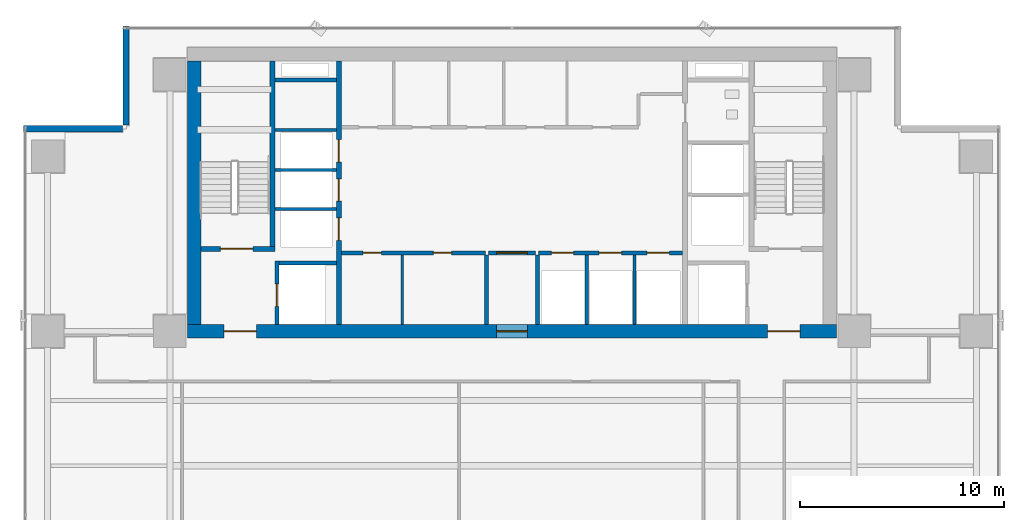
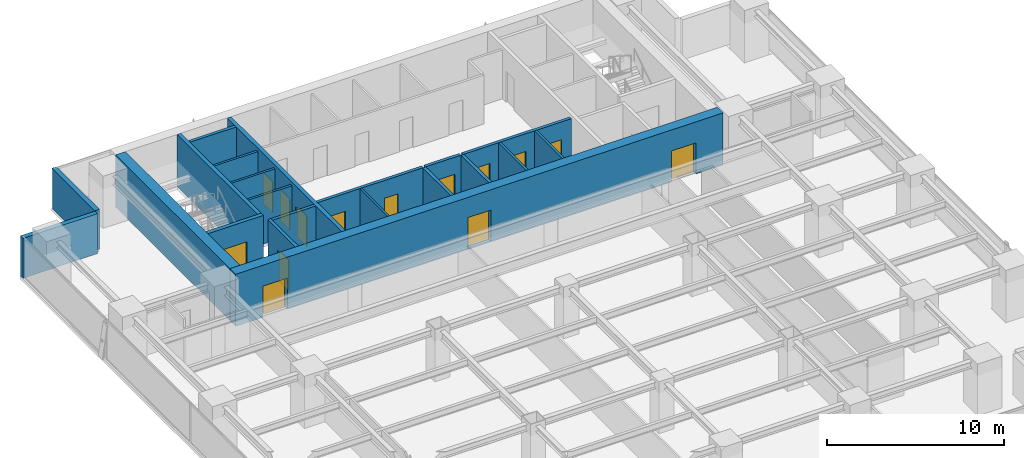
# One storey, part 21 of 27: 21 walls, 14 doors, 14 openings.
"""IFC4 building model written with IfcOpenShell, lengths in metres."""

from ifc_helpers import new_model, si_unit, direction, frame, frame_2d, origin, place, context, subcontext, project, spatial, rectangle, extrude, source, transform, mapped, material, layer, layer_set, type_object, element, fill, save


model = new_model("IFC4")

# Units and contexts
model_context = context("Model", 3, precision=1e-05, world=origin(), true_north=direction((0.0, 1.0)))
body_context = subcontext(model_context, "Body", "Model", "MODEL_VIEW")
ifc_project = project(units=[si_unit("LENGTHUNIT", "METRE"), si_unit("AREAUNIT", "SQUARE_METRE"), si_unit("VOLUMEUNIT", "CUBIC_METRE"), si_unit("PLANEANGLEUNIT", "RADIAN"), si_unit("MASSUNIT", "GRAM", prefix="KILO")], contexts=[model_context])

# Site, building, storey
site_placement = place(None, origin())
site = spatial("IfcSite", under=ifc_project, at=site_placement, CompositionType="ELEMENT")
building_placement = place(site_placement, origin())
building = spatial("IfcBuilding", under=site, at=building_placement, Name="Sumidabori Civic Tower", CompositionType="ELEMENT")
storey_placement = place(building_placement, frame((0.0, 0.0, 138.800048828125)))
storey = spatial("IfcBuildingStorey", under=building, at=storey_placement, Name="L35", CompositionType="ELEMENT", Elevation=138.800048828125)

# Walls
ifc_material_1 = material(Name="Concrete C50/60", Category="concrete")
ifc_layer_1 = layer(ifc_material_1, 0.199951171875, Name="Concrete C50/60")
ifc_layer_set_1 = layer_set([ifc_layer_1], Name="Concrete C50/60")
wall_type_1 = type_object("IfcWallType", Name="WL-SHAFT-200", PredefinedType="SHEAR", material=ifc_layer_set_1)
shared_shape_1 = source(origin(), body_context, "Body", "SweptSolid", [
    extrude(rectangle(XDim=2.824951171875, YDim=0.199951171875, at=frame_2d((1.41259765625, 0.0))), origin(), (0.0, 0.0, 1.0), 3.599853515625),
])
wall_1_placement = place(storey_placement, frame((-11.449951171875, 13.550048828125, 0.0), z_axis=(0.0, 0.0, 1.0), x_axis=(1.0, 0.0, 0.0)))
element("IfcWall", 1, at=wall_1_placement, inside=storey, type_object=wall_type_1, Name="Core Shear Wall L35 EL1-N", PredefinedType="SHEAR", context=body_context, shape_type="MappedRepresentation", body=[
    mapped(shared_shape_1, transform((0.0, 0.0, 0.0), x_axis=(1.0, 0.0, 0.0), y_axis=(0.0, 1.0, 0.0), z_axis=(0.0, 0.0, 1.0), scale=1.0)),
])
shared_shape_2 = source(origin(), body_context, "Body", "SweptSolid", [
    extrude(rectangle(XDim=3.02001953125, YDim=0.199951171875, at=frame_2d((1.510009765625, 0.0))), origin(), (0.0, 0.0, 1.0), 3.599853515625),
])
wall_2_placement = place(storey_placement, frame((-11.64501953125, 22.550048828125, 0.0), z_axis=(0.0, 0.0, 1.0), x_axis=(1.0, 0.0, 0.0)))
element("IfcWall", 2, at=wall_2_placement, inside=storey, type_object=wall_type_1, Name="Core Shear Wall L35 RIS1-S", PredefinedType="SHEAR", context=body_context, shape_type="MappedRepresentation", body=[
    mapped(shared_shape_2, transform((0.0, 0.0, 0.0), x_axis=(1.0, 0.0, 0.0), y_axis=(0.0, 1.0, 0.0), z_axis=(0.0, 0.0, 1.0), scale=1.0)),
])

# Wall, openings, doors
ifc_material_2 = material(Name="Concrete C60/75", Category="concrete")
ifc_layer_2 = layer(ifc_material_2, 0.64990234375, Name="Concrete C60/75")
ifc_layer_set_2 = layer_set([ifc_layer_2], Name="Concrete C60/75")
wall_type_2 = type_object("IfcWallType", Name="WL-CORE-650", PredefinedType="SHEAR", material=ifc_layer_set_2)
shared_shape_3 = source(origin(), body_context, "Body", "SweptSolid", [
    extrude(rectangle(XDim=31.85009765625, YDim=0.64990234375, at=frame_2d((15.925048828125, 0.0))), origin(), (0.0, 0.0, 1.0), 3.599853515625),
])
wall_3_placement = place(storey_placement, frame((-15.925048828125, 10.199951171875, 0.0), z_axis=(0.0, 0.0, 1.0), x_axis=(1.0, 0.0, 0.0)))
wall_3 = element("IfcWall", 3, at=wall_3_placement, inside=storey, type_object=wall_type_2, Name="Core Shear Wall L35 S", PredefinedType="SHEAR", context=body_context, shape_type="MappedRepresentation", body=[
    mapped(shared_shape_3, transform((0.0, 0.0, 0.0), x_axis=(1.0, 0.0, 0.0), y_axis=(0.0, 1.0, 0.0), z_axis=(0.0, 0.0, 1.0), scale=1.0)),
])
opening_1_placement = place(wall_3_placement, frame((1.77490234375, 0.0, 0.0)))
opening_1 = element("IfcOpeningElement", 4, at=opening_1_placement, cuts=wall_3, Name="Opening DR-FD4", PredefinedType="OPENING", context=body_context, shape_type="SweptSolid", body=[
    extrude(rectangle(XDim=1.60009765625, YDim=2.14990234375, at=frame_2d((0.800048828125, 1.074951171875))), frame((0.0, 0.3369140625, 0.0), z_axis=(0.0, -1.0, 0.0), x_axis=(1.0, 0.0, 0.0)), (0.0, 0.0, 1.0), 0.673828125),
])
opening_2_placement = place(wall_3_placement, frame((28.47509765625, 0.0, 0.0)))
opening_2 = element("IfcOpeningElement", 5, at=opening_2_placement, cuts=wall_3, Name="Opening DR-FD4", PredefinedType="OPENING", context=body_context, shape_type="SweptSolid", body=[
    extrude(rectangle(XDim=1.60009765625, YDim=2.14990234375, at=frame_2d((0.800048828125, 1.074951171875))), frame((0.0, 0.3369140625, 0.0), z_axis=(0.0, -1.0, 0.0), x_axis=(1.0, 0.0, 0.0)), (0.0, 0.0, 1.0), 0.673828125),
])
opening_3_placement = place(wall_3_placement, frame((15.175048828125, 0.0, 0.0)))
opening_3 = element("IfcOpeningElement", 6, at=opening_3_placement, cuts=wall_3, Name="Opening DR-FD3", PredefinedType="OPENING", context=body_context, shape_type="SweptSolid", body=[
    extrude(rectangle(XDim=1.5, YDim=2.199951171875, at=frame_2d((0.75, 1.10009765625))), frame((0.0, 0.3369140625, 0.0), z_axis=(0.0, -1.0, 0.0), x_axis=(1.0, 0.0, 0.0)), (0.0, 0.0, 1.0), 0.673828125),
])
ifc_material_3 = material(Name="Steel SN490", Category="steel")
door_type_1 = type_object("IfcDoorType", Name="DR-FD4", OperationType="DOUBLE_DOOR_SINGLE_SWING", PredefinedType="DOOR", material=ifc_material_3)
shared_shape_4 = source(origin(), body_context, "Body", "SweptSolid", [
    extrude(rectangle(XDim=1.60009765625, YDim=2.14990234375, at=frame_2d((0.800048828125, 1.074951171875))), frame((0.0, 0.02490234375, 0.0), z_axis=(0.0, -1.0, 0.0), x_axis=(1.0, 0.0, 0.0)), (0.0, 0.0, 1.0), 0.050048828125),
])
door_1_placement = place(opening_1_placement, origin())
door_1 = element("IfcDoor", 7, at=door_1_placement, inside=storey, type_object=door_type_1, Name="Door DR:L35:ELOB-W", OperationType="DOUBLE_DOOR_SINGLE_SWING", OverallHeight=2.14990234375, OverallWidth=1.60009765625, PredefinedType="DOOR", context=body_context, shape_type="MappedRepresentation", body=[
    mapped(shared_shape_4, transform((0.0, 0.0, 0.0), x_axis=(1.0, 0.0, 0.0), y_axis=(0.0, 1.0, 0.0), z_axis=(0.0, 0.0, 1.0), scale=1.0)),
])
fill(opening_1, door_1)
door_2_placement = place(opening_2_placement, origin())
door_2 = element("IfcDoor", 8, at=door_2_placement, inside=storey, type_object=door_type_1, Name="Door DR:L35:ELOB-E", OperationType="DOUBLE_DOOR_SINGLE_SWING", OverallHeight=2.14990234375, OverallWidth=1.60009765625, PredefinedType="DOOR", context=body_context, shape_type="MappedRepresentation", body=[
    mapped(shared_shape_4, transform((0.0, 0.0, 0.0), x_axis=(1.0, 0.0, 0.0), y_axis=(0.0, 1.0, 0.0), z_axis=(0.0, 0.0, 1.0), scale=1.0)),
])
fill(opening_2, door_2)
door_type_2 = type_object("IfcDoorType", Name="DR-FD-DBL", OperationType="DOUBLE_DOOR_SINGLE_SWING", PredefinedType="DOOR", material=ifc_material_3)
shared_shape_5 = source(origin(), body_context, "Body", "SweptSolid", [
    extrude(rectangle(XDim=1.5, YDim=2.199951171875, at=frame_2d((0.75, 1.10009765625))), frame((0.0, 0.02490234375, 0.0), z_axis=(0.0, -1.0, 0.0), x_axis=(1.0, 0.0, 0.0)), (0.0, 0.0, 1.0), 0.050048828125),
])
door_3_placement = place(opening_3_placement, origin())
door_3 = element("IfcDoor", 9, at=door_3_placement, inside=storey, type_object=door_type_2, Name="Door DR:L35:THROAT-OUT", OperationType="DOUBLE_DOOR_SINGLE_SWING", OverallHeight=2.199951171875, OverallWidth=1.5, PredefinedType="DOOR", context=body_context, shape_type="MappedRepresentation", body=[
    mapped(shared_shape_5, transform((0.0, 0.0, 0.0), x_axis=(1.0, 0.0, 0.0), y_axis=(0.0, 1.0, 0.0), z_axis=(0.0, 0.0, 1.0), scale=1.0)),
])
fill(opening_3, door_3)

# Wall
shared_shape_6 = source(origin(), body_context, "Body", "SweptSolid", [
    extrude(rectangle(XDim=12.9501953125, YDim=0.64990234375, at=frame_2d((6.47509765625, 0.0))), origin(), (0.0, 0.0, 1.0), 3.599853515625),
])
wall_4_placement = place(storey_placement, frame((-15.60009765625, 10.52490234375, 0.0), z_axis=(0.0, 0.0, 1.0), x_axis=(0.0, 1.0, 0.0)))
element("IfcWall", 10, at=wall_4_placement, inside=storey, type_object=wall_type_2, Name="Core Shear Wall L35 W", PredefinedType="SHEAR", context=body_context, shape_type="MappedRepresentation", body=[
    mapped(shared_shape_6, transform((0.0, 0.0, 0.0), x_axis=(1.0, 0.0, 0.0), y_axis=(0.0, 1.0, 0.0), z_axis=(0.0, 0.0, 1.0), scale=1.0)),
])

# Wall, openings, doors
ifc_layer_3 = layer(ifc_material_1, 0.25, Name="Concrete C50/60")
ifc_layer_set_3 = layer_set([ifc_layer_3], Name="Concrete C50/60")
wall_type_3 = type_object("IfcWallType", Name="WL-SHAFT-250", PredefinedType="SHEAR", material=ifc_layer_set_3)
shared_shape_7 = source(origin(), body_context, "Body", "SweptSolid", [
    extrude(rectangle(XDim=12.9501953125, YDim=0.25, at=frame_2d((6.47509765625, 0.0))), origin(), (0.0, 0.0, 1.0), 3.599853515625),
])
wall_5_placement = place(storey_placement, frame((-8.5, 10.52490234375, 0.0), z_axis=(0.0, 0.0, 1.0), x_axis=(0.0, 1.0, 0.0)))
wall_5 = element("IfcWall", 11, at=wall_5_placement, inside=storey, type_object=wall_type_3, Name="Core Shear Wall L35 WEB-W", PredefinedType="SHEAR", context=body_context, shape_type="MappedRepresentation", body=[
    mapped(shared_shape_7, transform((0.0, 0.0, 0.0), x_axis=(1.0, 0.0, 0.0), y_axis=(0.0, 1.0, 0.0), z_axis=(0.0, 0.0, 1.0), scale=1.0)),
])
opening_4_placement = place(wall_5_placement, frame((4.14501953125, 0.0, 0.0)))
opening_4 = element("IfcOpeningElement", 12, at=opening_4_placement, cuts=wall_5, Name="Opening LD-1", PredefinedType="OPENING", context=body_context, shape_type="SweptSolid", body=[
    extrude(rectangle(XDim=1.10009765625, YDim=2.14990234375, at=frame_2d((0.550048828125, 1.074951171875))), frame((0.0, 0.136962890625, 0.0), z_axis=(0.0, -1.0, 0.0), x_axis=(1.0, 0.0, 0.0)), (0.0, 0.0, 1.0), 0.27392578125),
])
opening_5_placement = place(wall_5_placement, frame((6.06494140625, 0.0, 0.0)))
opening_5 = element("IfcOpeningElement", 13, at=opening_5_placement, cuts=wall_5, Name="Opening LD-1", PredefinedType="OPENING", context=body_context, shape_type="SweptSolid", body=[
    extrude(rectangle(XDim=1.10009765625, YDim=2.14990234375, at=frame_2d((0.550048828125, 1.074951171875))), frame((0.0, 0.136962890625, 0.0), z_axis=(0.0, -1.0, 0.0), x_axis=(1.0, 0.0, 0.0)), (0.0, 0.0, 1.0), 0.27392578125),
])
opening_6_placement = place(wall_5_placement, frame((7.985107421875, 0.0, 0.0)))
opening_6 = element("IfcOpeningElement", 14, at=opening_6_placement, cuts=wall_5, Name="Opening LD-1", PredefinedType="OPENING", context=body_context, shape_type="SweptSolid", body=[
    extrude(rectangle(XDim=1.10009765625, YDim=2.14990234375, at=frame_2d((0.550048828125, 1.074951171875))), frame((0.0, 0.136962890625, 0.0), z_axis=(0.0, -1.0, 0.0), x_axis=(1.0, 0.0, 0.0)), (0.0, 0.0, 1.0), 0.27392578125),
])
ifc_material_4 = material(Name="Stainless Steel Hairline Finish", Category="steel")
door_type_3 = type_object("IfcDoorType", Name="DR-LD1", OperationType="DOUBLE_DOOR_SLIDING", PredefinedType="DOOR", material=ifc_material_4)
shared_shape_8 = source(origin(), body_context, "Body", "SweptSolid", [
    extrude(rectangle(XDim=1.10009765625, YDim=2.14990234375, at=frame_2d((0.550048828125, 1.074951171875))), frame((0.0, 0.02490234375, 0.0), z_axis=(0.0, -1.0, 0.0), x_axis=(1.0, 0.0, 0.0)), (0.0, 0.0, 1.0), 0.050048828125),
])
door_4_placement = place(opening_4_placement, origin())
door_4 = element("IfcDoor", 15, at=door_4_placement, inside=storey, type_object=door_type_3, Name="Door DR:L35:LD-PLH1", OperationType="DOUBLE_DOOR_SLIDING", OverallHeight=2.14990234375, OverallWidth=1.10009765625, PredefinedType="DOOR", context=body_context, shape_type="MappedRepresentation", body=[
    mapped(shared_shape_8, transform((0.0, 0.0, 0.0), x_axis=(1.0, 0.0, 0.0), y_axis=(0.0, 1.0, 0.0), z_axis=(0.0, 0.0, 1.0), scale=1.0)),
])
fill(opening_4, door_4)
door_5_placement = place(opening_5_placement, origin())
door_5 = element("IfcDoor", 16, at=door_5_placement, inside=storey, type_object=door_type_3, Name="Door DR:L35:LD-PLH2", OperationType="DOUBLE_DOOR_SLIDING", OverallHeight=2.14990234375, OverallWidth=1.10009765625, PredefinedType="DOOR", context=body_context, shape_type="MappedRepresentation", body=[
    mapped(shared_shape_8, transform((0.0, 0.0, 0.0), x_axis=(1.0, 0.0, 0.0), y_axis=(0.0, 1.0, 0.0), z_axis=(0.0, 0.0, 1.0), scale=1.0)),
])
fill(opening_5, door_5)
door_6_placement = place(opening_6_placement, origin())
door_6 = element("IfcDoor", 17, at=door_6_placement, inside=storey, type_object=door_type_3, Name="Door DR:L35:LD-PLH3", OperationType="DOUBLE_DOOR_SLIDING", OverallHeight=2.14990234375, OverallWidth=1.10009765625, PredefinedType="DOOR", context=body_context, shape_type="MappedRepresentation", body=[
    mapped(shared_shape_8, transform((0.0, 0.0, 0.0), x_axis=(1.0, 0.0, 0.0), y_axis=(0.0, 1.0, 0.0), z_axis=(0.0, 0.0, 1.0), scale=1.0)),
])
fill(opening_6, door_6)

# Wall, opening, door
shared_shape_9 = source(origin(), body_context, "Body", "SweptSolid", [
    extrude(rectangle(XDim=3.6298828125, YDim=0.25, at=frame_2d((1.81494140625, 0.0))), origin(), (0.0, 0.0, 1.0), 3.599853515625),
])
wall_6_placement = place(storey_placement, frame((-15.27490234375, 14.25, 0.0), z_axis=(0.0, 0.0, 1.0), x_axis=(1.0, 0.0, 0.0)))
wall_6 = element("IfcWall", 18, at=wall_6_placement, inside=storey, type_object=wall_type_3, Name="Core Shear Wall L35 ST1-S", PredefinedType="SHEAR", context=body_context, shape_type="MappedRepresentation", body=[
    mapped(shared_shape_9, transform((0.0, 0.0, 0.0), x_axis=(1.0, 0.0, 0.0), y_axis=(0.0, 1.0, 0.0), z_axis=(0.0, 0.0, 1.0), scale=1.0)),
])
opening_7_placement = place(wall_6_placement, frame((0.949951171875, 0.0, 0.0)))
opening_7 = element("IfcOpeningElement", 19, at=opening_7_placement, cuts=wall_6, Name="Opening DR-FD4", PredefinedType="OPENING", context=body_context, shape_type="SweptSolid", body=[
    extrude(rectangle(XDim=1.60009765625, YDim=2.14990234375, at=frame_2d((0.800048828125, 1.074951171875))), frame((0.0, 0.136962890625, 0.0), z_axis=(0.0, -1.0, 0.0), x_axis=(1.0, 0.0, 0.0)), (0.0, 0.0, 1.0), 0.27392578125),
])
door_7_placement = place(opening_7_placement, origin())
door_7 = element("IfcDoor", 20, at=door_7_placement, inside=storey, type_object=door_type_1, Name="Door DR:L35:ST1", OperationType="DOUBLE_DOOR_SINGLE_SWING", OverallHeight=2.14990234375, OverallWidth=1.60009765625, PredefinedType="DOOR", context=body_context, shape_type="MappedRepresentation", body=[
    mapped(shared_shape_4, transform((0.0, 0.0, 0.0), x_axis=(1.0, 0.0, 0.0), y_axis=(0.0, 1.0, 0.0), z_axis=(0.0, 0.0, 1.0), scale=1.0)),
])
fill(opening_7, door_7)

# Wall
shared_shape_10 = source(origin(), body_context, "Body", "SweptSolid", [
    extrude(rectangle(XDim=9.10009765625, YDim=0.25, at=frame_2d((4.550048828125, 0.0))), origin(), (0.0, 0.0, 1.0), 3.599853515625),
])
wall_7_placement = place(storey_placement, frame((-11.77001953125, 14.375, 0.0), z_axis=(0.0, 0.0, 1.0), x_axis=(0.0, 1.0, 0.0)))
element("IfcWall", 21, at=wall_7_placement, inside=storey, type_object=wall_type_3, Name="Core Shear Wall L35 ST1-E", PredefinedType="SHEAR", context=body_context, shape_type="MappedRepresentation", body=[
    mapped(shared_shape_10, transform((0.0, 0.0, 0.0), x_axis=(1.0, 0.0, 0.0), y_axis=(0.0, 1.0, 0.0), z_axis=(0.0, 0.0, 1.0), scale=1.0)),
])

# Wall, opening, door
shared_shape_11 = source(origin(), body_context, "Body", "SweptSolid", [
    extrude(rectangle(XDim=3.125, YDim=0.199951171875, at=frame_2d((1.5625, 0.0))), origin(), (0.0, 0.0, 1.0), 3.599853515625),
])
wall_8_placement = place(storey_placement, frame((-11.550048828125, 10.52490234375, 0.0), z_axis=(0.0, 0.0, 1.0), x_axis=(0.0, 1.0, 0.0)))
wall_8 = element("IfcWall", 22, at=wall_8_placement, inside=storey, type_object=wall_type_1, Name="Core Shear Wall L35 EL1-W", PredefinedType="SHEAR", context=body_context, shape_type="MappedRepresentation", body=[
    mapped(shared_shape_11, transform((0.0, 0.0, 0.0), x_axis=(1.0, 0.0, 0.0), y_axis=(0.0, 1.0, 0.0), z_axis=(0.0, 0.0, 1.0), scale=1.0)),
])
opening_8_placement = place(wall_8_placement, frame((0.89990234375, 0.0, 0.0)))
opening_8 = element("IfcOpeningElement", 23, at=opening_8_placement, cuts=wall_8, Name="Opening LD-2", PredefinedType="OPENING", context=body_context, shape_type="SweptSolid", body=[
    extrude(rectangle(XDim=1.10009765625, YDim=2.14990234375, at=frame_2d((0.550048828125, 1.074951171875))), frame((0.0, 0.11181640625, 0.0), z_axis=(0.0, -1.0, 0.0), x_axis=(1.0, 0.0, 0.0)), (0.0, 0.0, 1.0), 0.223876953125),
])
door_type_4 = type_object("IfcDoorType", Name="DR-LD2", OperationType="DOUBLE_DOOR_SLIDING", PredefinedType="DOOR", material=ifc_material_4)
door_8_placement = place(opening_8_placement, origin())
door_8 = element("IfcDoor", 24, at=door_8_placement, inside=storey, type_object=door_type_4, Name="Door DR:L35:LD-EL1", OperationType="DOUBLE_DOOR_SLIDING", OverallHeight=2.14990234375, OverallWidth=1.10009765625, PredefinedType="DOOR", context=body_context, shape_type="MappedRepresentation", body=[
    mapped(shared_shape_8, transform((0.0, 0.0, 0.0), x_axis=(1.0, 0.0, 0.0), y_axis=(0.0, 1.0, 0.0), z_axis=(0.0, 0.0, 1.0), scale=1.0)),
])
fill(opening_8, door_8)

# Walls
ifc_material_5 = material(Name="Precast concrete C40/50", Category="concrete")
ifc_layer_4 = layer(ifc_material_5, 0.300048828125, Name="Precast concrete C40/50")
ifc_layer_set_4 = layer_set([ifc_layer_4], Name="Precast concrete C40/50")
wall_type_4 = type_object("IfcWallType", Name="WL-EXT-POD300", PredefinedType="STANDARD", material=ifc_layer_set_4)
shared_shape_12 = source(origin(), body_context, "Body", "SweptSolid", [
    extrude(rectangle(XDim=4.85986328125, YDim=0.300048828125, at=frame_2d((2.429931640625, 0.0))), origin(), (0.0, 0.0, 1.0), 2.760009765625),
])
for number, where, z_axis, x_axis, name in (
    (25, (-18.949951171875, 25.179931640625, 0.0), (0.0, 0.0, 1.0), (0.0, -1.0, 0.0), "Notched Corner Spandrel Band L35-08"),
    (26, (-19.1201171875, 20.14990234375, 0.0), (0.0, 0.0, 1.0), (-1.0, 0.0, 0.0), "Notched Corner Spandrel Band L35-09"),
):
    element("IfcWall", number, at=place(storey_placement, frame(where, z_axis=z_axis, x_axis=x_axis)), inside=storey, type_object=wall_type_4, Name=name, PredefinedType="STANDARD", context=body_context, shape_type="MappedRepresentation", body=[
        mapped(shared_shape_12, transform((0.0, 0.0, 0.0), x_axis=(1.0, 0.0, 0.0), y_axis=(0.0, 1.0, 0.0), z_axis=(0.0, 0.0, 1.0), scale=1.0)),
    ])
ifc_material_6 = material(Name="Gypsum Plasterboard Acoustic Partition")
ifc_layer_5 = layer(ifc_material_6, 0.14990234375, Name="Gypsum Plasterboard Acoustic Partition")
ifc_layer_set_5 = layer_set([ifc_layer_5], Name="Gypsum Plasterboard Acoustic Partition")
wall_type_5 = type_object("IfcWallType", Name="WL-PART-150", PredefinedType="PARTITIONING", material=ifc_layer_set_5)
shared_shape_13 = source(origin(), body_context, "Body", "SweptSolid", [
    extrude(rectangle(XDim=3.010009765625, YDim=0.14990234375, at=frame_2d((1.5048828125, 0.0))), origin(), (0.0, 0.0, 1.0), 3.3798828125),
])
for number, where, z_axis, x_axis, name in (
    (27, (-11.639892578125, 16.199951171875, 0.0), (0.0, 0.0, 1.0), (1.0, 0.0, 0.0), "Interior Partition WL:L35:DIV-PLH1"),
    (28, (-11.639892578125, 18.1201171875, 0.0), (0.0, 0.0, 1.0), (1.0, 0.0, 0.0), "Interior Partition WL:L35:DIV-PLH2"),
    (29, (-11.639892578125, 20.080078125, 0.0), (0.0, 0.0, 1.0), (1.0, 0.0, 0.0), "Interior Partition WL:L35:DIV-PLH3"),
):
    element("IfcWall", number, at=place(storey_placement, frame(where, z_axis=z_axis, x_axis=x_axis)), inside=storey, type_object=wall_type_5, Name=name, PredefinedType="PARTITIONING", context=body_context, shape_type="MappedRepresentation", body=[
        mapped(shared_shape_13, transform((0.0, 0.0, 0.0), x_axis=(1.0, 0.0, 0.0), y_axis=(0.0, 1.0, 0.0), z_axis=(0.0, 0.0, 1.0), scale=1.0)),
    ])

# Wall, openings, doors
ifc_material_7 = material(Name="Gypsum Plasterboard Fire Partition")
ifc_layer_6 = layer(ifc_material_7, 0.199951171875, Name="Gypsum Plasterboard Fire Partition")
ifc_layer_set_6 = layer_set([ifc_layer_6], Name="Gypsum Plasterboard Fire Partition")
wall_type_6 = type_object("IfcWallType", Name="WL-PART-FIRE", PredefinedType="PARTITIONING", material=ifc_layer_set_6)
shared_shape_14 = source(origin(), body_context, "Body", "SweptSolid", [
    extrude(rectangle(XDim=7.070068359375, YDim=0.199951171875, at=frame_2d((3.53515625, 0.0))), origin(), (0.0, 0.0, 1.0), 3.3798828125),
])
wall_9_placement = place(storey_placement, frame((-8.3701171875, 14.050048828125, 0.0), z_axis=(0.0, 0.0, 1.0), x_axis=(1.0, 0.0, 0.0)))
wall_9 = element("IfcWall", 30, at=wall_9_placement, inside=storey, type_object=wall_type_6, Name="Interior Partition WL:L35:CBAND-SW", PredefinedType="PARTITIONING", context=body_context, shape_type="MappedRepresentation", body=[
    mapped(shared_shape_14, transform((0.0, 0.0, 0.0), x_axis=(1.0, 0.0, 0.0), y_axis=(0.0, 1.0, 0.0), z_axis=(0.0, 0.0, 1.0), scale=1.0)),
])
opening_9_placement = place(wall_9_placement, frame((1.06005859375, 0.0, 0.0)))
opening_9 = element("IfcOpeningElement", 31, at=opening_9_placement, cuts=wall_9, Name="Opening DR-1", PredefinedType="OPENING", context=body_context, shape_type="SweptSolid", body=[
    extrude(rectangle(XDim=0.89990234375, YDim=2.14990234375, at=frame_2d((0.449951171875, 1.074951171875))), frame((0.0, 0.11181640625, 0.0), z_axis=(0.0, -1.0, 0.0), x_axis=(1.0, 0.0, 0.0)), (0.0, 0.0, 1.0), 0.223876953125),
])
opening_10_placement = place(wall_9_placement, frame((4.510009765625, 0.0, 0.0)))
opening_10 = element("IfcOpeningElement", 32, at=opening_10_placement, cuts=wall_9, Name="Opening DR-1", PredefinedType="OPENING", context=body_context, shape_type="SweptSolid", body=[
    extrude(rectangle(XDim=0.89990234375, YDim=2.14990234375, at=frame_2d((0.449951171875, 1.074951171875))), frame((0.0, 0.11181640625, 0.0), z_axis=(0.0, -1.0, 0.0), x_axis=(1.0, 0.0, 0.0)), (0.0, 0.0, 1.0), 0.223876953125),
])
ifc_material_8 = material(Name="Japanese Hinoki Timber", Category="wood")
door_type_5 = type_object("IfcDoorType", Name="DR-INT-900", OperationType="NOTDEFINED", PredefinedType="DOOR", material=ifc_material_8)
shared_shape_15 = source(origin(), body_context, "Body", "SweptSolid", [
    extrude(rectangle(XDim=0.89990234375, YDim=2.14990234375, at=frame_2d((0.449951171875, 1.074951171875))), frame((0.0, 0.02490234375, 0.0), z_axis=(0.0, -1.0, 0.0), x_axis=(1.0, 0.0, 0.0)), (0.0, 0.0, 1.0), 0.050048828125),
])
door_9_placement = place(opening_9_placement, origin())
door_9 = element("IfcDoor", 33, at=door_9_placement, inside=storey, type_object=door_type_5, Name="Door DR:L35:REC-B1A", OperationType="SINGLE_SWING_LEFT", OverallHeight=2.14990234375, OverallWidth=0.89990234375, PredefinedType="DOOR", context=body_context, shape_type="MappedRepresentation", body=[
    mapped(shared_shape_15, transform((0.0, 0.0, 0.0), x_axis=(1.0, 0.0, 0.0), y_axis=(0.0, 1.0, 0.0), z_axis=(0.0, 0.0, 1.0), scale=1.0)),
])
fill(opening_9, door_9)
door_10_placement = place(opening_10_placement, origin())
door_10 = element("IfcDoor", 34, at=door_10_placement, inside=storey, type_object=door_type_5, Name="Door DR:L35:REC-B1B", OperationType="SINGLE_SWING_RIGHT", OverallHeight=2.14990234375, OverallWidth=0.89990234375, PredefinedType="DOOR", context=body_context, shape_type="MappedRepresentation", body=[
    mapped(shared_shape_15, transform((0.0, 0.0, 0.0), x_axis=(1.0, 0.0, 0.0), y_axis=(0.0, 1.0, 0.0), z_axis=(0.0, 0.0, 1.0), scale=1.0)),
])
fill(opening_10, door_10)

wall_10_placement = place(storey_placement, frame((1.300048828125, 14.050048828125, 0.0), z_axis=(0.0, 0.0, 1.0), x_axis=(1.0, 0.0, 0.0)))
wall_10 = element("IfcWall", 35, at=wall_10_placement, inside=storey, type_object=wall_type_6, Name="Interior Partition WL:L35:CBAND-SE", PredefinedType="PARTITIONING", context=body_context, shape_type="MappedRepresentation", body=[
    mapped(shared_shape_14, transform((0.0, 0.0, 0.0), x_axis=(1.0, 0.0, 0.0), y_axis=(0.0, 1.0, 0.0), z_axis=(0.0, 0.0, 1.0), scale=1.0)),
])
opening_11_placement = place(wall_10_placement, frame((0.6298828125, 0.0, 0.0)))
opening_11 = element("IfcOpeningElement", 36, at=opening_11_placement, cuts=wall_10, Name="Opening LD-1", PredefinedType="OPENING", context=body_context, shape_type="SweptSolid", body=[
    extrude(rectangle(XDim=1.10009765625, YDim=2.14990234375, at=frame_2d((0.550048828125, 1.074951171875))), frame((0.0, 0.11181640625, 0.0), z_axis=(0.0, -1.0, 0.0), x_axis=(1.0, 0.0, 0.0)), (0.0, 0.0, 1.0), 0.223876953125),
])
opening_12_placement = place(wall_10_placement, frame((2.97998046875, 0.0, 0.0)))
opening_12 = element("IfcOpeningElement", 37, at=opening_12_placement, cuts=wall_10, Name="Opening LD-1", PredefinedType="OPENING", context=body_context, shape_type="SweptSolid", body=[
    extrude(rectangle(XDim=1.10009765625, YDim=2.14990234375, at=frame_2d((0.550048828125, 1.074951171875))), frame((0.0, 0.11181640625, 0.0), z_axis=(0.0, -1.0, 0.0), x_axis=(1.0, 0.0, 0.0)), (0.0, 0.0, 1.0), 0.223876953125),
])
opening_13_placement = place(wall_10_placement, frame((5.330078125, 0.0, 0.0)))
opening_13 = element("IfcOpeningElement", 38, at=opening_13_placement, cuts=wall_10, Name="Opening LD-1", PredefinedType="OPENING", context=body_context, shape_type="SweptSolid", body=[
    extrude(rectangle(XDim=1.10009765625, YDim=2.14990234375, at=frame_2d((0.550048828125, 1.074951171875))), frame((0.0, 0.11181640625, 0.0), z_axis=(0.0, -1.0, 0.0), x_axis=(1.0, 0.0, 0.0)), (0.0, 0.0, 1.0), 0.223876953125),
])
door_11_placement = place(opening_11_placement, origin())
door_11 = element("IfcDoor", 39, at=door_11_placement, inside=storey, type_object=door_type_3, Name="Door DR:L35:LD-PLM1", OperationType="DOUBLE_DOOR_SLIDING", OverallHeight=2.14990234375, OverallWidth=1.10009765625, PredefinedType="DOOR", context=body_context, shape_type="MappedRepresentation", body=[
    mapped(shared_shape_8, transform((0.0, 0.0, 0.0), x_axis=(1.0, 0.0, 0.0), y_axis=(0.0, 1.0, 0.0), z_axis=(0.0, 0.0, 1.0), scale=1.0)),
])
fill(opening_11, door_11)
door_12_placement = place(opening_12_placement, origin())
door_12 = element("IfcDoor", 40, at=door_12_placement, inside=storey, type_object=door_type_3, Name="Door DR:L35:LD-PLM2", OperationType="DOUBLE_DOOR_SLIDING", OverallHeight=2.14990234375, OverallWidth=1.10009765625, PredefinedType="DOOR", context=body_context, shape_type="MappedRepresentation", body=[
    mapped(shared_shape_8, transform((0.0, 0.0, 0.0), x_axis=(1.0, 0.0, 0.0), y_axis=(0.0, 1.0, 0.0), z_axis=(0.0, 0.0, 1.0), scale=1.0)),
])
fill(opening_12, door_12)
door_13_placement = place(opening_13_placement, origin())
door_13 = element("IfcDoor", 41, at=door_13_placement, inside=storey, type_object=door_type_3, Name="Door DR:L35:LD-PLM3", OperationType="DOUBLE_DOOR_SLIDING", OverallHeight=2.14990234375, OverallWidth=1.10009765625, PredefinedType="DOOR", context=body_context, shape_type="MappedRepresentation", body=[
    mapped(shared_shape_8, transform((0.0, 0.0, 0.0), x_axis=(1.0, 0.0, 0.0), y_axis=(0.0, 1.0, 0.0), z_axis=(0.0, 0.0, 1.0), scale=1.0)),
])
fill(opening_13, door_13)

# Walls
shared_shape_16 = source(origin(), body_context, "Body", "SweptSolid", [
    extrude(rectangle(XDim=3.4150390625, YDim=0.199951171875, at=frame_2d((1.70751953125, 0.0))), origin(), (0.0, 0.0, 1.0), 3.3798828125),
])
for number, where, z_axis, x_axis, name in (
    (42, (-1.25, 10.52490234375, 0.0), (0.0, 0.0, 1.0), (0.0, 1.0, 0.0), "Interior Partition WL:L35:THROAT-W"),
    (43, (1.25, 10.52490234375, 0.0), (0.0, 0.0, 1.0), (0.0, 1.0, 0.0), "Interior Partition WL:L35:THROAT-E"),
):
    element("IfcWall", number, at=place(storey_placement, frame(where, z_axis=z_axis, x_axis=x_axis)), inside=storey, type_object=wall_type_6, Name=name, PredefinedType="PARTITIONING", context=body_context, shape_type="MappedRepresentation", body=[
        mapped(shared_shape_16, transform((0.0, 0.0, 0.0), x_axis=(1.0, 0.0, 0.0), y_axis=(0.0, 1.0, 0.0), z_axis=(0.0, 0.0, 1.0), scale=1.0)),
    ])

# Wall, opening, door
shared_shape_17 = source(origin(), body_context, "Body", "SweptSolid", [
    extrude(rectangle(XDim=2.2998046875, YDim=0.199951171875, at=frame_2d((1.14990234375, 0.0))), origin(), (0.0, 0.0, 1.0), 3.3798828125),
])
wall_11_placement = place(storey_placement, frame((-1.14990234375, 14.050048828125, 0.0), z_axis=(0.0, 0.0, 1.0), x_axis=(1.0, 0.0, 0.0)))
wall_11 = element("IfcWall", 44, at=wall_11_placement, inside=storey, type_object=wall_type_6, Name="Interior Partition WL:L35:THROAT-N", PredefinedType="PARTITIONING", context=body_context, shape_type="MappedRepresentation", body=[
    mapped(shared_shape_17, transform((0.0, 0.0, 0.0), x_axis=(1.0, 0.0, 0.0), y_axis=(0.0, 1.0, 0.0), z_axis=(0.0, 0.0, 1.0), scale=1.0)),
])
opening_14_placement = place(wall_11_placement, frame((0.39990234375, 0.0, 0.0)))
opening_14 = element("IfcOpeningElement", 45, at=opening_14_placement, cuts=wall_11, Name="Opening DR-FD3", PredefinedType="OPENING", context=body_context, shape_type="SweptSolid", body=[
    extrude(rectangle(XDim=1.5, YDim=2.199951171875, at=frame_2d((0.75, 1.10009765625))), frame((0.0, 0.11181640625, 0.0), z_axis=(0.0, -1.0, 0.0), x_axis=(1.0, 0.0, 0.0)), (0.0, 0.0, 1.0), 0.223876953125),
])
door_14_placement = place(opening_14_placement, origin())
door_14 = element("IfcDoor", 46, at=door_14_placement, inside=storey, type_object=door_type_2, Name="Door DR:L35:THROAT-IN", OperationType="DOUBLE_DOOR_SINGLE_SWING", OverallHeight=2.199951171875, OverallWidth=1.5, PredefinedType="DOOR", context=body_context, shape_type="MappedRepresentation", body=[
    mapped(shared_shape_5, transform((0.0, 0.0, 0.0), x_axis=(1.0, 0.0, 0.0), y_axis=(0.0, 1.0, 0.0), z_axis=(0.0, 0.0, 1.0), scale=1.0)),
])
fill(opening_14, door_14)

# Walls
shared_shape_18 = source(origin(), body_context, "Body", "SweptSolid", [
    extrude(rectangle(XDim=3.4150390625, YDim=0.14990234375, at=frame_2d((1.70751953125, 0.0))), origin(), (0.0, 0.0, 1.0), 3.3798828125),
])
for number, where, z_axis, x_axis, name in (
    (47, (3.669921875, 10.52490234375, 0.0), (0.0, 0.0, 1.0), (0.0, 1.0, 0.0), "Interior Partition WL:L35:DIV-PLM1"),
    (48, (6.02001953125, 10.52490234375, 0.0), (0.0, 0.0, 1.0), (0.0, 1.0, 0.0), "Interior Partition WL:L35:DIV-PLM2"),
):
    element("IfcWall", number, at=place(storey_placement, frame(where, z_axis=z_axis, x_axis=x_axis)), inside=storey, type_object=wall_type_5, Name=name, PredefinedType="PARTITIONING", context=body_context, shape_type="MappedRepresentation", body=[
        mapped(shared_shape_18, transform((0.0, 0.0, 0.0), x_axis=(1.0, 0.0, 0.0), y_axis=(0.0, 1.0, 0.0), z_axis=(0.0, 0.0, 1.0), scale=1.0)),
    ])
ifc_layer_7 = layer(ifc_material_6, 0.1201171875, Name="Gypsum Plasterboard Acoustic Partition")
ifc_layer_set_7 = layer_set([ifc_layer_7], Name="Gypsum Plasterboard Acoustic Partition")
wall_type_7 = type_object("IfcWallType", Name="WL-PART-120", PredefinedType="PARTITIONING", material=ifc_layer_set_7)
shared_shape_19 = source(origin(), body_context, "Body", "SweptSolid", [
    extrude(rectangle(XDim=3.4150390625, YDim=0.1201171875, at=frame_2d((1.70751953125, 0.0))), origin(), (0.0, 0.0, 1.0), 3.3798828125),
])
wall_12_placement = place(storey_placement, frame((-5.39990234375, 10.52490234375, 0.0), z_axis=(0.0, 0.0, 1.0), x_axis=(0.0, 1.0, 0.0)))
element("IfcWall", 49, at=wall_12_placement, inside=storey, type_object=wall_type_7, Name="Interior Partition WL:L35:REC-B1-SP", PredefinedType="PARTITIONING", context=body_context, shape_type="MappedRepresentation", body=[
    mapped(shared_shape_19, transform((0.0, 0.0, 0.0), x_axis=(1.0, 0.0, 0.0), y_axis=(0.0, 1.0, 0.0), z_axis=(0.0, 0.0, 1.0), scale=1.0)),
])

save(model, "model.ifc")
